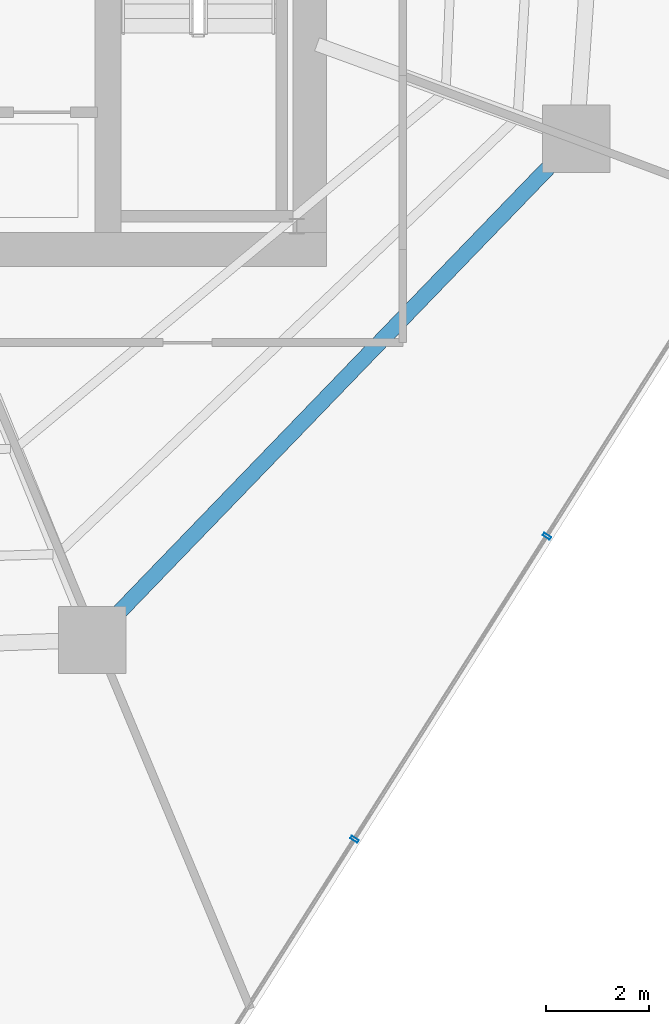
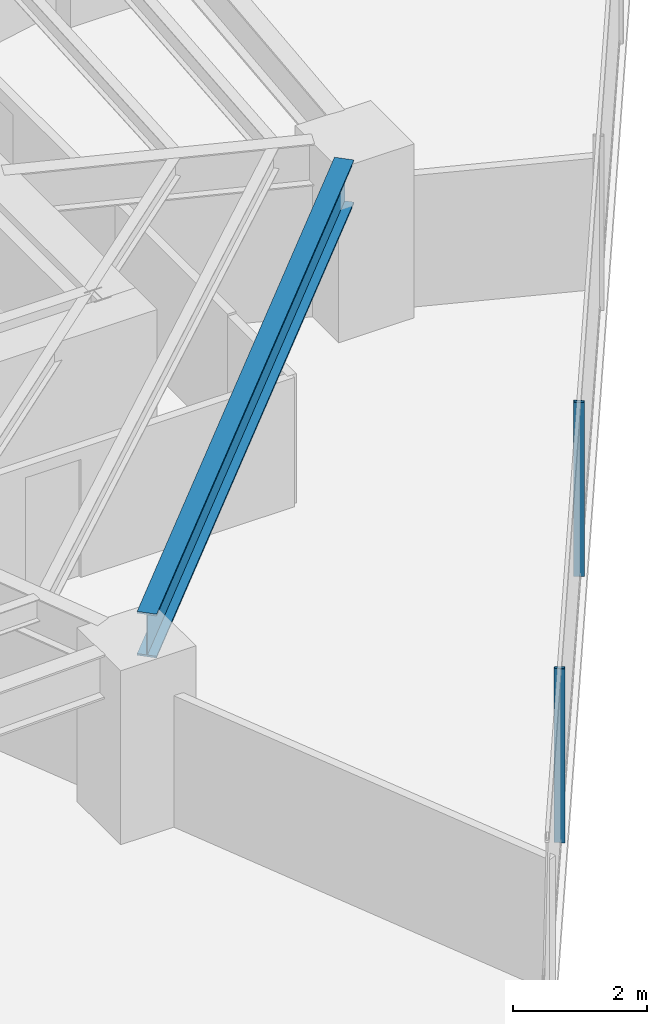
# One storey, part 11 of 30: 2 members, 1 beam, 1 element without a shape of its own.
"""IFC4 building model written with IfcOpenShell, lengths in metres."""

from ifc_helpers import new_model, si_unit, direction, frame, origin, origin_2d, place, context, subcontext, project, spatial, hollow_rectangle, i_section, extrude, material, layer, layer_set, material_profile, profile_set, type_object, element, aggregate, save


model = new_model("IFC4")

# Units and contexts
model_context = context("Model", 3, precision=1e-05, world=origin(), true_north=direction((0.0, 1.0)))
body_context = subcontext(model_context, "Body", "Model", "MODEL_VIEW")
ifc_project = project(units=[si_unit("LENGTHUNIT", "METRE"), si_unit("AREAUNIT", "SQUARE_METRE"), si_unit("VOLUMEUNIT", "CUBIC_METRE"), si_unit("PLANEANGLEUNIT", "RADIAN"), si_unit("MASSUNIT", "GRAM", prefix="KILO")], contexts=[model_context])

# Site, building, storey
site_placement = place(None, origin())
site = spatial("IfcSite", under=ifc_project, at=site_placement, CompositionType="ELEMENT")
building_placement = place(site_placement, origin())
building = spatial("IfcBuilding", under=site, at=building_placement, Name="Qarnah Convention Tower", CompositionType="ELEMENT")
storey_placement = place(building_placement, frame((0.0, 0.0, 58.050048828125)))
storey = spatial("IfcBuildingStorey", under=building, at=storey_placement, Name="L14", CompositionType="ELEMENT", Elevation=58.050048828125)

# Beam
ifc_material_1 = material(Name="Structural steel S355JR", Category="steel")
ifc_material_profile_1 = material_profile(ifc_material_1, i_section(OverallWidth=0.300048828125, OverallDepth=0.800048828125, WebThickness=0.01806640625, FlangeThickness=0.032958984375, at=origin_2d()), Name="HEB800")
ifc_profile_set_1 = profile_set([ifc_material_profile_1], Name="Structural steel S355JR")
beam_type = type_object("IfcBeamType", Name="BM-RING-HEB800", PredefinedType="BEAM", material=ifc_profile_set_1)
beam_placement = place(storey_placement, frame((43.844970703125, 11.514892578125, 2.77001953125), z_axis=(0.694553028655, 0.719441512832, 0.0), x_axis=(-0.719441512832, 0.694553028655, 0.0)))
element("IfcBeam", 1, at=beam_placement, inside=storey, type_object=beam_type, Name="L14 beam BM-L14-SPN-08", PredefinedType="BEAM", context=body_context, shape_type="SweptSolid", body=[
    extrude(i_section(OverallWidth=0.300048828125, OverallDepth=0.800048828125, WebThickness=0.01806640625, FlangeThickness=0.032958984375, at=origin_2d()), origin(), (0.0, 0.0, 1.0), 12.183349609375),
])

# Curtain wall, members
ifc_material_2 = material(Name="Tempered Low-E dark glass", Category="glass")
ifc_layer = layer(ifc_material_2, 0.16796875)
ifc_layer_set = layer_set([ifc_layer], Name="Tempered Low-E dark glass")
curtain_wall_type = type_object("IfcCurtainWallType", Name="CWS-01", PredefinedType="NOTDEFINED", material=ifc_layer_set)
curtain_wall_placement = place(storey_placement, origin())
curtain_wall = element("IfcCurtainWall", 2, at=curtain_wall_placement, inside=storey, type_object=curtain_wall_type, Name="L14 unitised curtain wall CW-L14-F2", PredefinedType="NOTDEFINED")
ifc_material_3 = material(Name="Black anodised aluminium", Category="aluminium")
ifc_material_profile_2 = material_profile(ifc_material_3, hollow_rectangle(XDim=0.06005859375, YDim=0.159912109375, WallThickness=0.00390625, at=origin_2d()), Name="MUL-60X160")
ifc_profile_set_2 = profile_set([ifc_material_profile_2], Name="Black anodised aluminium")
member_type = type_object("IfcMemberType", Name="MUL-T1", PredefinedType="MULLION", material=ifc_profile_set_2)
member_1_placement = place(storey_placement, frame((52.18310546875, 13.056396484375, 0.0), z_axis=(0.0, 0.0, 1.0), x_axis=(-0.535844994188, -0.844316375658, 0.0)))
member_1 = element("IfcMember", 3, at=member_1_placement, type_object=member_type, Name="CW-L14-F2 mullion 4", PredefinedType="MULLION", context=body_context, shape_type="SweptSolid", body=[
    extrude(hollow_rectangle(XDim=0.06005859375, YDim=0.159912109375, WallThickness=0.00390625, at=origin_2d()), origin(), (0.0, 0.0, 1.0), 3.169921875),
])
member_2_placement = place(storey_placement, frame((48.467041015625, 7.201171875, 0.0), z_axis=(0.0, 0.0, 1.0), x_axis=(-0.535844994188, -0.844316375658, 0.0)))
member_2 = element("IfcMember", 4, at=member_2_placement, type_object=member_type, Name="CW-L14-F2 mullion 5", PredefinedType="MULLION", context=body_context, shape_type="SweptSolid", body=[
    extrude(hollow_rectangle(XDim=0.06005859375, YDim=0.159912109375, WallThickness=0.00390625, at=origin_2d()), origin(), (0.0, 0.0, 1.0), 3.169921875),
])
aggregate(curtain_wall, [member_1, member_2])

save(model, "model.ifc")
